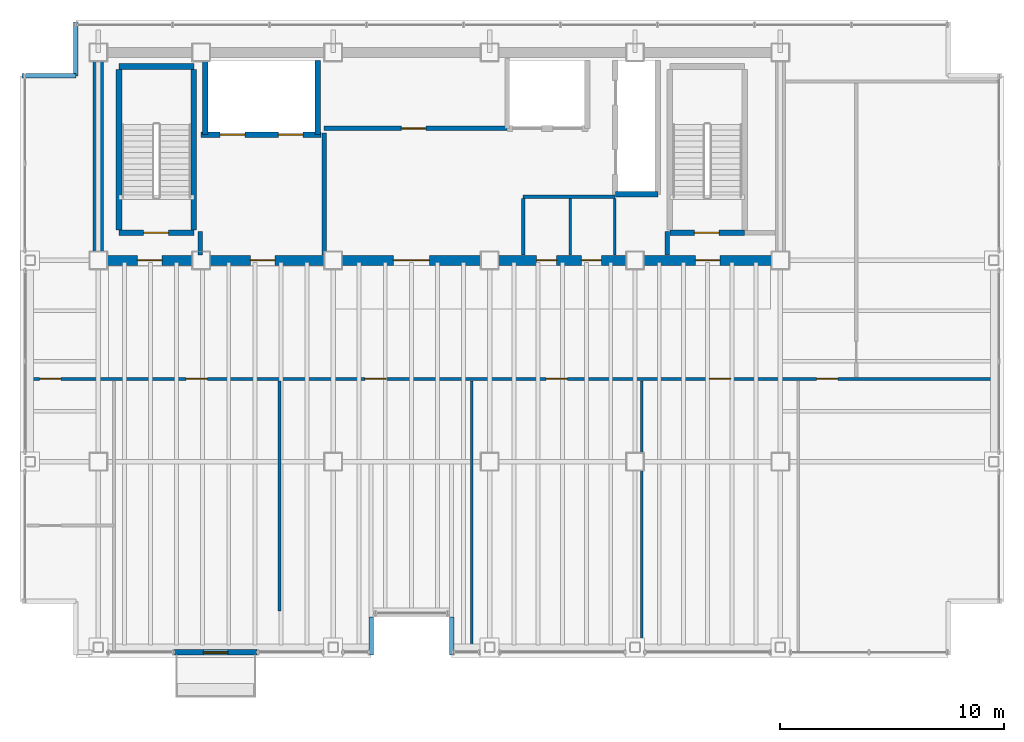
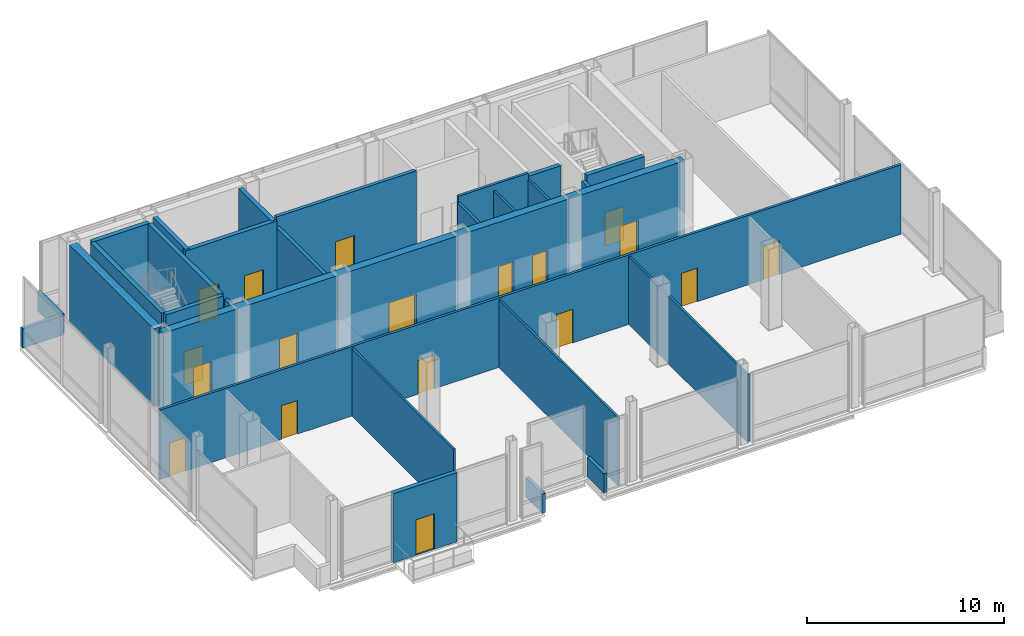
# One storey, part 13 of 15: 28 walls, 18 doors, 18 openings.
"""IFC4 building model written with IfcOpenShell, lengths in metres."""

import ifcopenshell
import ifcopenshell.guid

model = None  # the IFC model being written
_history = None  # IfcOwnerHistory: only IFC2X3 demands one
_inside = {}  # id of a spatial element -> (the spatial element, [elements in it])
_under = {}  # id of a project, library or spatial element -> (it, [spatial elements below it])
_declared = {}  # id of a project -> (the project, [libraries it declares])
_typed = {}  # id of a type object -> (the type object, [elements of that type])
_made_of = {}  # id of a material, layer set ... -> (it, [elements and type objects made of it])


def new_model(schema):
    """Start an empty IFC model of exactly this schema.

    Asked for "IFC4X3", IfcOpenShell would pick the latest addendum, in which some entities
    have other attributes; the version numbers below select the first issue.
    IFC2X3 requires an IfcOwnerHistory on every rooted entity: one is made here for all.
    """
    global model, _history
    if schema == "IFC4X3":
        model = ifcopenshell.file(schema_version=(4, 3, 0, 0))
    else:
        model = ifcopenshell.file(schema=schema)
    _inside.clear()
    _under.clear()
    _declared.clear()
    _typed.clear()
    _made_of.clear()
    _history = None
    if model.schema == "IFC2X3":
        org = make("IfcOrganization", Name="unknown")
        user = make(
            "IfcPersonAndOrganization",
            ThePerson=make("IfcPerson", FamilyName="unknown"),
            TheOrganization=org,
        )
        app = make(
            "IfcApplication",
            ApplicationDeveloper=org,
            Version="unknown",
            ApplicationFullName="unknown",
            ApplicationIdentifier="unknown",
        )
        _history = make(
            "IfcOwnerHistory",
            OwningUser=user,
            OwningApplication=app,
            ChangeAction="ADDED",
            CreationDate=0,
        )
    return model


def make(cls, **values):
    """One entity of the class cls with the attributes given. An attribute that is None is left unset."""
    return model.create_entity(
        cls, **{name: value for name, value in values.items() if value is not None}
    )


def rooted(cls, **values):
    """An entity with a GlobalId (a new one), such as an element, a storey or a relation."""
    return make(cls, GlobalId=ifcopenshell.guid.new(), OwnerHistory=_history, **values)


def si_unit(unit_type, name, prefix=None):
    """IfcSIUnit, for example si_unit("LENGTHUNIT", "METRE", prefix="MILLI")."""
    return make("IfcSIUnit", UnitType=unit_type, Prefix=prefix, Name=name)


def assignment(units):
    """IfcUnitAssignment: the units of a project."""
    return None if units is None else make("IfcUnitAssignment", Units=units)


def point(xyz):
    """IfcCartesianPoint."""
    return None if xyz is None else make("IfcCartesianPoint", Coordinates=xyz)


def direction(xyz):
    """IfcDirection."""
    return None if xyz is None else make("IfcDirection", DirectionRatios=xyz)


def frame(location, z_axis=None, x_axis=None):
    """IfcAxis2Placement3D, a coordinate frame: its origin and axes. An axis left out is left unset."""
    return make(
        "IfcAxis2Placement3D",
        Location=point(location),
        Axis=direction(z_axis),
        RefDirection=direction(x_axis),
    )


def frame_2d(location, x_axis=None):
    """IfcAxis2Placement2D, a coordinate frame in the plane: its origin and x axis."""
    return make(
        "IfcAxis2Placement2D", Location=point(location), RefDirection=direction(x_axis)
    )


def origin():
    """The frame at (0, 0, 0) with its axes left unset."""
    return frame((0.0, 0.0, 0.0))


def place(relative_to, where):
    """IfcLocalPlacement: puts the frame where relative to a parent placement (None: the world)."""
    return make(
        "IfcLocalPlacement", PlacementRelTo=relative_to, RelativePlacement=where
    )


def context(
    kind, dimensions, precision=None, world=None, true_north=None, identifier=None
):
    """IfcGeometricRepresentationContext, for example the 3D "Model" context."""
    return make(
        "IfcGeometricRepresentationContext",
        ContextIdentifier=identifier,
        ContextType=kind,
        CoordinateSpaceDimension=dimensions,
        Precision=precision,
        WorldCoordinateSystem=world,
        TrueNorth=true_north,
    )


def subcontext(parent, identifier, kind, view, scale=None):
    """IfcGeometricRepresentationSubContext, for example "Body" below "Model"."""
    return make(
        "IfcGeometricRepresentationSubContext",
        ContextIdentifier=identifier,
        ContextType=kind,
        ParentContext=parent,
        TargetScale=scale,
        TargetView=view,
    )


def project(units=None, contexts=None):
    """IfcProject with its units and contexts."""
    return rooted(
        "IfcProject",
        Name="project",
        RepresentationContexts=contexts,
        UnitsInContext=assignment(units),
    )


def spatial(cls, under=None, at=None, **own):
    """A site, building, storey or space (cls), placed at a placement, below another one or the project."""
    s = rooted(cls, ObjectPlacement=at, **own)
    if under is not None:
        _under.setdefault(under.id(), (under, []))[1].append(s)
    return s


def profile(cls, at=None, kind="AREA", **sizes):
    """A parametric profile (cls). Its sizes go by their IFC names, for example OverallWidth=200.0."""
    return make(cls, ProfileType=kind, Position=at, **sizes)


def rectangle(**sizes):
    """IfcRectangleProfileDef."""
    return profile("IfcRectangleProfileDef", **sizes)


def extrude(swept, where, along, depth):
    """IfcExtrudedAreaSolid: the profile swept, set in the frame where, extruded along a direction by depth."""
    return make(
        "IfcExtrudedAreaSolid",
        SweptArea=swept,
        Position=where,
        ExtrudedDirection=direction(along),
        Depth=depth,
    )


def shape(context_of_items, identifier, shape_type, items):
    """IfcShapeRepresentation: the items that make up one representation, for example the "Body"."""
    return make(
        "IfcShapeRepresentation",
        ContextOfItems=context_of_items,
        RepresentationIdentifier=identifier,
        RepresentationType=shape_type,
        Items=items,
    )


def material(Name=None, Category=None):
    """IfcMaterial."""
    return make("IfcMaterial", Name=Name, Category=Category)


def layer(
    of_material, thickness, ventilated=None, Name=None, Category=None, Priority=None
):
    """IfcMaterialLayer: one layer of a wall or slab, of a material (None: an air gap)."""
    return make(
        "IfcMaterialLayer",
        Material=of_material,
        LayerThickness=thickness,
        IsVentilated=ventilated,
        Name=Name,
        Category=Category,
        Priority=Priority,
    )


def layer_set(layers, Name=None):
    """IfcMaterialLayerSet."""
    return make("IfcMaterialLayerSet", MaterialLayers=layers, LayerSetName=Name)


def made_of(thing, what):
    """Note that an element or type object is made of a material, layer set ...; save() writes the relation."""
    if what is not None:
        _made_of.setdefault(what.id(), (what, []))[1].append(thing)
    return thing


def type_object(cls, material=None, **own):
    """A type object (cls), such as IfcWallType, which elements share."""
    return made_of(rooted(cls, **own), material)


def element(
    cls,
    number,
    at=None,
    inside=None,
    cuts=None,
    type_object=None,
    material=None,
    context=None,
    identifier="Body",
    shape_type=None,
    held_by="IfcProductDefinitionShape",
    body=None,
    shapes=None,
    **own,
):
    """One element of the class cls, such as IfcWall. Its Tag is "e" and its number.

    at: its placement. inside: the storey or other place that contains it. cuts: it is an
    opening in that element (IfcRelVoidsElement). A single representation is given by context,
    identifier, shape_type and body (its items); several are given by shapes. held_by: the class
    of the entity that holds the representations. save() writes the other relations.
    """
    e = rooted(cls, Tag="e%d" % number, ObjectPlacement=at, **own)
    if body is not None:
        shapes = [shape(context, identifier, shape_type, body)]
    if shapes is not None:
        e.Representation = make(held_by, Representations=shapes)
    if inside is not None:
        _inside.setdefault(inside.id(), (inside, []))[1].append(e)
    if cuts is not None:
        rooted(
            "IfcRelVoidsElement", RelatingBuildingElement=cuts, RelatedOpeningElement=e
        )
    if type_object is not None:
        _typed.setdefault(type_object.id(), (type_object, []))[1].append(e)
    return made_of(e, material)


def fill(opening, filler):
    """IfcRelFillsElement: the door or window that sits in an opening."""
    return rooted(
        "IfcRelFillsElement",
        RelatingOpeningElement=opening,
        RelatedBuildingElement=filler,
    )


def aggregate(whole, parts):
    """IfcRelAggregates: a whole, such as a stair, and the parts it consists of."""
    return rooted("IfcRelAggregates", RelatingObject=whole, RelatedObjects=parts)


def save(model, path):
    """Write the relations noted so far, then the file.

    IfcRelAggregates (storeys below a building ...), IfcRelContainedInSpatialStructure (elements
    in a storey), IfcRelDefinesByType, IfcRelAssociatesMaterial and IfcRelDeclares: one each for
    every whole, place, type object, material and project.
    """
    for whole, parts in _under.values():
        aggregate(whole, parts)
    for where, things in _inside.values():
        rooted(
            "IfcRelContainedInSpatialStructure",
            RelatedElements=things,
            RelatingStructure=where,
        )
    for kind, things in _typed.values():
        rooted("IfcRelDefinesByType", RelatedObjects=things, RelatingType=kind)
    for what, things in _made_of.values():
        rooted("IfcRelAssociatesMaterial", RelatedObjects=things, RelatingMaterial=what)
    for by, libraries in _declared.values():
        rooted("IfcRelDeclares", RelatingContext=by, RelatedDefinitions=libraries)
    model.write(path)


model = new_model("IFC4")

# Units and contexts
model_context = context("Model", 3, precision=1e-05, world=origin(), true_north=direction((0.0, 1.0)))
body_context = subcontext(model_context, "Body", "Model", "MODEL_VIEW")
ifc_project = project(units=[si_unit("LENGTHUNIT", "METRE"), si_unit("AREAUNIT", "SQUARE_METRE"), si_unit("VOLUMEUNIT", "CUBIC_METRE"), si_unit("PLANEANGLEUNIT", "RADIAN"), si_unit("MASSUNIT", "GRAM", prefix="KILO")], contexts=[model_context])

# Site, building, storey
site_placement = place(None, origin())
site = spatial("IfcSite", under=ifc_project, at=site_placement, CompositionType="ELEMENT")
building_placement = place(site_placement, origin())
building = spatial("IfcBuilding", under=site, at=building_placement, Name="Noeulbin Bourse Tower", CompositionType="ELEMENT")
storey_placement = place(building_placement, frame((0.0, 0.0, 206.10009765625)))
storey = spatial("IfcBuildingStorey", under=building, at=storey_placement, Name="L51", CompositionType="ELEMENT", Elevation=206.10009765625)

# Wall, openings, doors
ifc_material_1 = material(Name="Concrete C50/60", Category="concrete")
ifc_layer_1 = layer(ifc_material_1, 0.449951171875)
ifc_layer_set_1 = layer_set([ifc_layer_1], Name="Concrete C50/60")
wall_type_1 = type_object("IfcWallType", Name="WAL-CORE-450", PredefinedType="SHEAR", material=ifc_layer_set_1)
wall_1_placement = place(storey_placement, frame((13.5, 29.0, 0.0), z_axis=(0.0, 0.0, 1.0), x_axis=(1.0, 0.0, 0.0)))
wall_1 = element("IfcWall", 1, at=wall_1_placement, inside=storey, type_object=wall_type_1, Name="Rear Core South Shear Wall L51", PredefinedType="SHEAR", context=body_context, shape_type="SweptSolid", body=[
    extrude(rectangle(XDim=30.5, YDim=0.449951171875, at=frame_2d((15.25, 0.0))), origin(), (0.0, 0.0, 1.0), 4.81982421875),
])
opening_1_placement = place(wall_1_placement, frame((1.75, 0.0, 0.0)))
opening_1 = element("IfcOpeningElement", 2, at=opening_1_placement, cuts=wall_1, Name="Opening FD-11", PredefinedType="OPENING", context=body_context, shape_type="SweptSolid", body=[
    extrude(rectangle(XDim=1.10009765625, YDim=2.080078125, at=frame_2d((0.550048828125, 1.0400390625))), frame((0.0, 0.23486328125, 0.0), z_axis=(0.0, -1.0, 0.0), x_axis=(1.0, 0.0, 0.0)), (0.0, 0.0, 1.0), 0.469970703125),
])
opening_2_placement = place(wall_1_placement, frame((26.699951171875, 0.0, 0.0)))
opening_2 = element("IfcOpeningElement", 3, at=opening_2_placement, cuts=wall_1, Name="Opening FD-11", PredefinedType="OPENING", context=body_context, shape_type="SweptSolid", body=[
    extrude(rectangle(XDim=1.10009765625, YDim=2.080078125, at=frame_2d((0.550048828125, 1.0400390625))), frame((0.0, 0.23486328125, 0.0), z_axis=(0.0, -1.0, 0.0), x_axis=(1.0, 0.0, 0.0)), (0.0, 0.0, 1.0), 0.469970703125),
])
opening_3_placement = place(wall_1_placement, frame((6.800048828125, 0.0, 0.0)))
opening_3 = element("IfcOpeningElement", 4, at=opening_3_placement, cuts=wall_1, Name="Opening FD-11", PredefinedType="OPENING", context=body_context, shape_type="SweptSolid", body=[
    extrude(rectangle(XDim=1.10009765625, YDim=2.080078125, at=frame_2d((0.550048828125, 1.0400390625))), frame((0.0, 0.23486328125, 0.0), z_axis=(0.0, -1.0, 0.0), x_axis=(1.0, 0.0, 0.0)), (0.0, 0.0, 1.0), 0.469970703125),
])
opening_4_placement = place(wall_1_placement, frame((13.199951171875, 0.0, 0.0)))
opening_4 = element("IfcOpeningElement", 5, at=opening_4_placement, cuts=wall_1, Name="Opening ID-16", PredefinedType="OPENING", context=body_context, shape_type="SweptSolid", body=[
    extrude(rectangle(XDim=1.60009765625, YDim=2.080078125, at=frame_2d((0.800048828125, 1.0400390625))), frame((0.0, 0.23486328125, 0.0), z_axis=(0.0, -1.0, 0.0), x_axis=(1.0, 0.0, 0.0)), (0.0, 0.0, 1.0), 0.469970703125),
])
opening_5_placement = place(wall_1_placement, frame((19.60009765625, 0.0, 0.0)))
opening_5 = element("IfcOpeningElement", 6, at=opening_5_placement, cuts=wall_1, Name="Opening FD-09", PredefinedType="OPENING", context=body_context, shape_type="SweptSolid", body=[
    extrude(rectangle(XDim=0.89990234375, YDim=2.080078125, at=frame_2d((0.449951171875, 1.0400390625))), frame((0.0, 0.23486328125, 0.0), z_axis=(0.0, -1.0, 0.0), x_axis=(1.0, 0.0, 0.0)), (0.0, 0.0, 1.0), 0.469970703125),
])
opening_6_placement = place(wall_1_placement, frame((21.60009765625, 0.0, 0.0)))
opening_6 = element("IfcOpeningElement", 7, at=opening_6_placement, cuts=wall_1, Name="Opening FD-09", PredefinedType="OPENING", context=body_context, shape_type="SweptSolid", body=[
    extrude(rectangle(XDim=0.89990234375, YDim=2.080078125, at=frame_2d((0.449951171875, 1.0400390625))), frame((0.0, 0.23486328125, 0.0), z_axis=(0.0, -1.0, 0.0), x_axis=(1.0, 0.0, 0.0)), (0.0, 0.0, 1.0), 0.469970703125),
])
ifc_material_2 = material(Name="Acoustic Glazed Aluminium", Category="aluminium")
door_type_1 = type_object("IfcDoorType", Name="DR-DBL-1600", OperationType="DOUBLE_DOOR_SINGLE_SWING", PredefinedType="DOOR", material=ifc_material_2)
door_1_placement = place(opening_4_placement, origin())
door_1 = element("IfcDoor", 8, at=door_1_placement, inside=storey, type_object=door_type_1, Name="Passenger Lift Lobby Portal L51", OperationType="DOUBLE_DOOR_SINGLE_SWING", OverallHeight=2.080078125, OverallWidth=1.60009765625, PredefinedType="DOOR", context=body_context, shape_type="SweptSolid", body=[
    extrude(rectangle(XDim=1.60009765625, YDim=2.080078125, at=frame_2d((0.800048828125, 1.0400390625))), frame((0.0, 0.02490234375, 0.0), z_axis=(0.0, -1.0, 0.0), x_axis=(1.0, 0.0, 0.0)), (0.0, 0.0, 1.0), 0.050048828125),
])
fill(opening_4, door_1)
ifc_material_3 = material(Name="Fire-Rated Timber Core", Category="wood")
door_type_2 = type_object("IfcDoorType", Name="DR-FD30-900", OperationType="SINGLE_SWING_RIGHT", PredefinedType="DOOR", material=ifc_material_3)
door_2_placement = place(opening_5_placement, origin())
door_2 = element("IfcDoor", 9, at=door_2_placement, inside=storey, type_object=door_type_2, Name="Interior Door L51-06", OperationType="SINGLE_SWING_LEFT", OverallHeight=2.080078125, OverallWidth=0.89990234375, PredefinedType="DOOR", context=body_context, shape_type="SweptSolid", body=[
    extrude(rectangle(XDim=0.89990234375, YDim=2.080078125, at=frame_2d((0.449951171875, 1.0400390625))), frame((0.0, 0.02490234375, 0.0), z_axis=(0.0, -1.0, 0.0), x_axis=(1.0, 0.0, 0.0)), (0.0, 0.0, 1.0), 0.050048828125),
])
fill(opening_5, door_2)
door_3_placement = place(opening_6_placement, origin())
door_3 = element("IfcDoor", 10, at=door_3_placement, inside=storey, type_object=door_type_2, Name="Interior Door L51-07", OperationType="SINGLE_SWING_RIGHT", OverallHeight=2.080078125, OverallWidth=0.89990234375, PredefinedType="DOOR", context=body_context, shape_type="SweptSolid", body=[
    extrude(rectangle(XDim=0.89990234375, YDim=2.080078125, at=frame_2d((0.449951171875, 1.0400390625))), frame((0.0, 0.02490234375, 0.0), z_axis=(0.0, -1.0, 0.0), x_axis=(1.0, 0.0, 0.0)), (0.0, 0.0, 1.0), 0.050048828125),
])
fill(opening_6, door_3)
ifc_material_4 = material(Name="Fire-Rated Insulated Steel", Category="steel")
door_type_3 = type_object("IfcDoorType", Name="DR-FD60-1100", OperationType="SINGLE_SWING_LEFT", PredefinedType="DOOR", material=ifc_material_4)
door_4_placement = place(opening_1_placement, origin())
door_4 = element("IfcDoor", 11, at=door_4_placement, inside=storey, type_object=door_type_3, Name="West Stair Lobby Door L51", OperationType="SINGLE_SWING_RIGHT", OverallHeight=2.080078125, OverallWidth=1.10009765625, PredefinedType="DOOR", context=body_context, shape_type="SweptSolid", body=[
    extrude(rectangle(XDim=1.10009765625, YDim=2.080078125, at=frame_2d((0.550048828125, 1.0400390625))), frame((0.0, 0.02490234375, 0.0), z_axis=(0.0, -1.0, 0.0), x_axis=(1.0, 0.0, 0.0)), (0.0, 0.0, 1.0), 0.050048828125),
])
fill(opening_1, door_4)
door_5_placement = place(opening_2_placement, origin())
door_5 = element("IfcDoor", 12, at=door_5_placement, inside=storey, type_object=door_type_3, Name="East Stair Lobby Door L51", OperationType="SINGLE_SWING_LEFT", OverallHeight=2.080078125, OverallWidth=1.10009765625, PredefinedType="DOOR", context=body_context, shape_type="SweptSolid", body=[
    extrude(rectangle(XDim=1.10009765625, YDim=2.080078125, at=frame_2d((0.550048828125, 1.0400390625))), frame((0.0, 0.02490234375, 0.0), z_axis=(0.0, -1.0, 0.0), x_axis=(1.0, 0.0, 0.0)), (0.0, 0.0, 1.0), 0.050048828125),
])
fill(opening_2, door_5)
door_6_placement = place(opening_3_placement, origin())
door_6 = element("IfcDoor", 13, at=door_6_placement, inside=storey, type_object=door_type_3, Name="Firefighting Lobby Door L51", OperationType="SINGLE_SWING_RIGHT", OverallHeight=2.080078125, OverallWidth=1.10009765625, PredefinedType="DOOR", context=body_context, shape_type="SweptSolid", body=[
    extrude(rectangle(XDim=1.10009765625, YDim=2.080078125, at=frame_2d((0.550048828125, 1.0400390625))), frame((0.0, 0.02490234375, 0.0), z_axis=(0.0, -1.0, 0.0), x_axis=(1.0, 0.0, 0.0)), (0.0, 0.0, 1.0), 0.050048828125),
])
fill(opening_3, door_6)

# Wall
wall_2_placement = place(storey_placement, frame((13.5, 29.35009765625, 0.0), z_axis=(0.0, 0.0, 1.0), x_axis=(0.0, 1.0, 0.0)))
element("IfcWall", 14, at=wall_2_placement, inside=storey, type_object=wall_type_1, Name="Rear Core West Shear Wall L51", PredefinedType="SHEAR", context=body_context, shape_type="SweptSolid", body=[
    extrude(rectangle(XDim=8.599853515625, YDim=0.449951171875, at=frame_2d((4.2998046875, 0.0))), origin(), (0.0, 0.0, 1.0), 4.81982421875),
])

# Wall, opening, door
ifc_material_5 = material(Name="Precast Concrete C40/50", Category="concrete")
ifc_layer_2 = layer(ifc_material_5, 0.25)
ifc_layer_set_2 = layer_set([ifc_layer_2], Name="Precast Concrete C40/50")
wall_type_2 = type_object("IfcWallType", Name="WAL-EXT-250", PredefinedType="STANDARD", material=ifc_layer_set_2)
wall_3_placement = place(storey_placement, frame((16.89990234375, 11.469970703125, 0.0), z_axis=(0.0, 0.0, 1.0), x_axis=(1.0, 0.0, 0.0)))
wall_3 = element("IfcWall", 15, at=wall_3_placement, inside=storey, type_object=wall_type_2, Name="Balcony Threshold Wall L51", PredefinedType="STANDARD", context=body_context, shape_type="SweptSolid", body=[
    extrude(rectangle(XDim=3.7001953125, YDim=0.25, at=frame_2d((1.85009765625, 0.0))), origin(), (0.0, 0.0, 1.0), 4.27978515625),
])
opening_7_placement = place(wall_3_placement, frame((1.300048828125, 0.0, 0.0)))
opening_7 = element("IfcOpeningElement", 16, at=opening_7_placement, cuts=wall_3, Name="Opening BD-11", PredefinedType="OPENING", context=body_context, shape_type="SweptSolid", body=[
    extrude(rectangle(XDim=1.10009765625, YDim=2.199951171875, at=frame_2d((0.550048828125, 1.10009765625))), frame((0.0, 0.135009765625, 0.0), z_axis=(0.0, -1.0, 0.0), x_axis=(1.0, 0.0, 0.0)), (0.0, 0.0, 1.0), 0.27001953125),
])
ifc_material_6 = material(Name="Thermally Broken Aluminium Framed Glass", Category="aluminium")
door_type_4 = type_object("IfcDoorType", Name="DR-BAL-1100", OperationType="SINGLE_SWING_LEFT", PredefinedType="DOOR", material=ifc_material_6)
door_7_placement = place(opening_7_placement, origin())
door_7 = element("IfcDoor", 17, at=door_7_placement, inside=storey, type_object=door_type_4, Name="Tree-Balcony Access Door BD-L51", OperationType="SINGLE_SWING_LEFT", OverallHeight=2.199951171875, OverallWidth=1.10009765625, PredefinedType="DOOR", context=body_context, shape_type="SweptSolid", body=[
    extrude(rectangle(XDim=1.10009765625, YDim=2.199951171875, at=frame_2d((0.550048828125, 1.10009765625))), frame((0.0, 0.02490234375, 0.0), z_axis=(0.0, -1.0, 0.0), x_axis=(1.0, 0.0, 0.0)), (0.0, 0.0, 1.0), 0.050048828125),
])
fill(opening_7, door_7)

ifc_material_7 = material(Name="Concrete C40/50", Category="concrete")
ifc_layer_3 = layer(ifc_material_7, 0.199951171875)
ifc_layer_set_3 = layer_set([ifc_layer_3], Name="Concrete C40/50")
wall_type_3 = type_object("IfcWallType", Name="WAL-FIRE-200", PredefinedType="STANDARD", material=ifc_layer_set_3)
wall_4_placement = place(storey_placement, frame((23.60009765625, 34.89990234375, 0.0), z_axis=(0.0, 0.0, 1.0), x_axis=(1.0, 0.0, 0.0)))
wall_4 = element("IfcWall", 18, at=wall_4_placement, inside=storey, type_object=wall_type_3, Name="Interior Partition Wall L51-02", PredefinedType="STANDARD", context=body_context, shape_type="SweptSolid", body=[
    extrude(rectangle(XDim=8.179931640625, YDim=0.199951171875, at=frame_2d((4.08984375, 0.0))), origin(), (0.0, 0.0, 1.0), 4.81982421875),
])
opening_8_placement = place(wall_4_placement, frame((3.449951171875, 0.0, 0.0)))
opening_8 = element("IfcOpeningElement", 19, at=opening_8_placement, cuts=wall_4, Name="Opening FD-11", PredefinedType="OPENING", context=body_context, shape_type="SweptSolid", body=[
    extrude(rectangle(XDim=1.10009765625, YDim=2.080078125, at=frame_2d((0.550048828125, 1.0400390625))), frame((0.0, 0.10986328125, 0.0), z_axis=(0.0, -1.0, 0.0), x_axis=(1.0, 0.0, 0.0)), (0.0, 0.0, 1.0), 0.219970703125),
])
door_8_placement = place(opening_8_placement, origin())
door_8 = element("IfcDoor", 20, at=door_8_placement, inside=storey, type_object=door_type_3, Name="Telemetry Server Door L51", OperationType="SINGLE_SWING_RIGHT", OverallHeight=2.080078125, OverallWidth=1.10009765625, PredefinedType="DOOR", context=body_context, shape_type="SweptSolid", body=[
    extrude(rectangle(XDim=1.10009765625, YDim=2.080078125, at=frame_2d((0.550048828125, 1.0400390625))), frame((0.0, 0.02490234375, 0.0), z_axis=(0.0, -1.0, 0.0), x_axis=(1.0, 0.0, 0.0)), (0.0, 0.0, 1.0), 0.050048828125),
])
fill(opening_8, door_8)

# Walls
for number, where, z_axis, x_axis, name in (
    (21, (18.050048828125, 29.235107421875, 0.0), (0.0, 0.0, 1.0), (0.0, 1.0, 0.0), "Interior Partition Wall L51-07"),
    (22, (38.949951171875, 29.235107421875, 0.0), (0.0, 0.0, 1.0), (0.0, 1.0, 0.0), "Interior Partition Wall L51-08"),
):
    element("IfcWall", number, at=place(storey_placement, frame(where, z_axis=z_axis, x_axis=x_axis)), inside=storey, type_object=wall_type_3, Name=name, PredefinedType="STANDARD", context=body_context, shape_type="SweptSolid", body=[
        extrude(rectangle(XDim=1.06494140625, YDim=0.199951171875, at=frame_2d((0.532470703125, 0.0))), origin(), (0.0, 0.0, 1.0), 4.449951171875),
    ])
wall_5_placement = place(storey_placement, frame((23.60009765625, 29.235107421875, 0.0), z_axis=(0.0, 0.0, 1.0), x_axis=(0.0, 1.0, 0.0)))
element("IfcWall", 23, at=wall_5_placement, inside=storey, type_object=wall_type_3, Name="Interior Partition Wall L51-09", PredefinedType="STANDARD", context=body_context, shape_type="SweptSolid", body=[
    extrude(rectangle(XDim=5.46484375, YDim=0.199951171875, at=frame_2d((2.732421875, 0.0))), origin(), (0.0, 0.0, 1.0), 4.2998046875),
])
ifc_layer_4 = layer(ifc_material_7, 0.199951171875)
ifc_layer_set_4 = layer_set([ifc_layer_4], Name="Concrete C40/50")
wall_type_4 = type_object("IfcWallType", Name="WAL-PAR-200", PredefinedType="PARAPET", material=ifc_layer_set_4)
for number, where, z_axis, x_axis, name in (
    (24, (10.10009765625, 37.25, 0.0), (0.0, 0.0, 1.0), (1.0, 0.0, 0.0), "Corner Notch Parapet L51-NW1"),
    (25, (12.5, 37.25, 0.0), (0.0, 0.0, 1.0), (0.0, 1.0, 0.0), "Corner Notch Parapet L51-NW2"),
):
    element("IfcWall", number, at=place(storey_placement, frame(where, z_axis=z_axis, x_axis=x_axis)), inside=storey, type_object=wall_type_4, Name=name, PredefinedType="PARAPET", context=body_context, shape_type="SweptSolid", body=[
        extrude(rectangle(XDim=2.39990234375, YDim=0.199951171875, at=frame_2d((1.199951171875, 0.0))), origin(), (0.0, 0.0, 1.0), 1.199951171875),
    ])
for number, where, z_axis, x_axis, name in (
    (26, (25.699951171875, 11.35009765625, 0.0), (0.0, 0.0, 1.0), (0.0, 1.0, 0.0), "Sky-Garden Recess Parapet L51-W"),
    (27, (29.300048828125, 13.050048828125, 0.0), (0.0, 0.0, 1.0), (0.0, -1.0, 0.0), "Sky-Garden Recess Parapet L51-E"),
):
    element("IfcWall", number, at=place(storey_placement, frame(where, z_axis=z_axis, x_axis=x_axis)), inside=storey, type_object=wall_type_4, Name=name, PredefinedType="PARAPET", context=body_context, shape_type="SweptSolid", body=[
        extrude(rectangle(XDim=1.699951171875, YDim=0.199951171875, at=frame_2d((0.85009765625, 0.0))), origin(), (0.0, 0.0, 1.0), 1.199951171875),
    ])
ifc_material_8 = material(Name="Steel Stud Gypsum Partition", Category="steel")
ifc_layer_5 = layer(ifc_material_8, 0.1201171875)
ifc_layer_set_5 = layer_set([ifc_layer_5], Name="Steel Stud Gypsum Partition")
wall_type_5 = type_object("IfcWallType", Name="WAL-PRT-120", PredefinedType="PARTITIONING", material=ifc_layer_set_5)
for number, where, z_axis, x_axis, name in (
    (28, (36.60009765625, 29.235107421875, 0.0), (0.0, 0.0, 1.0), (0.0, 1.0, 0.0), "Interior Partition Wall L51-11"),
    (29, (34.60009765625, 29.235107421875, 0.0), (0.0, 0.0, 1.0), (0.0, 1.0, 0.0), "Interior Partition Wall L51-12"),
):
    element("IfcWall", number, at=place(storey_placement, frame(where, z_axis=z_axis, x_axis=x_axis)), inside=storey, type_object=wall_type_5, Name=name, PredefinedType="PARTITIONING", context=body_context, shape_type="SweptSolid", body=[
        extrude(rectangle(XDim=2.52978515625, YDim=0.1201171875, at=frame_2d((1.264892578125, 0.0))), origin(), (0.0, 0.0, 1.0), 4.449951171875),
    ])
wall_6_placement = place(storey_placement, frame((21.60009765625, 13.320068359375, 0.0), z_axis=(0.0, 0.0, 1.0), x_axis=(0.0, 1.0, 0.0)))
element("IfcWall", 30, at=wall_6_placement, inside=storey, type_object=wall_type_5, Name="Interior Partition Wall L51-15", PredefinedType="PARTITIONING", context=body_context, shape_type="SweptSolid", body=[
    extrude(rectangle(XDim=10.294921875, YDim=0.1201171875, at=frame_2d((5.1474609375, 0.0))), origin(), (0.0, 0.0, 1.0), 4.199951171875),
])
for number, where, z_axis, x_axis, name in (
    (31, (30.199951171875, 11.56005859375, 0.0), (0.0, 0.0, 1.0), (0.0, 1.0, 0.0), "Interior Partition Wall L51-16"),
    (32, (37.800048828125, 11.56005859375, 0.0), (0.0, 0.0, 1.0), (0.0, 1.0, 0.0), "Interior Partition Wall L51-17"),
):
    element("IfcWall", number, at=place(storey_placement, frame(where, z_axis=z_axis, x_axis=x_axis)), inside=storey, type_object=wall_type_5, Name=name, PredefinedType="PARTITIONING", context=body_context, shape_type="SweptSolid", body=[
        extrude(rectangle(XDim=12.054931640625, YDim=0.1201171875, at=frame_2d((6.02734375, 0.0))), origin(), (0.0, 0.0, 1.0), 4.199951171875),
    ])
ifc_material_9 = material(Name="Steel Stud Acoustic Gypsum Board", Category="steel")
ifc_layer_6 = layer(ifc_material_9, 0.14990234375)
ifc_layer_set_6 = layer_set([ifc_layer_6], Name="Steel Stud Acoustic Gypsum Board")
wall_type_6 = type_object("IfcWallType", Name="WAL-PRT-150", PredefinedType="PARTITIONING", material=ifc_layer_set_6)
wall_7_placement = place(storey_placement, frame((32.5, 31.85009765625, 0.0), z_axis=(0.0, 0.0, 1.0), x_axis=(1.0, 0.0, 0.0)))
element("IfcWall", 33, at=wall_7_placement, inside=storey, type_object=wall_type_6, Name="Interior Partition Wall L51-03", PredefinedType="PARTITIONING", context=body_context, shape_type="SweptSolid", body=[
    extrude(rectangle(XDim=4.10009765625, YDim=0.14990234375, at=frame_2d((2.050048828125, 0.0))), origin(), (0.0, 0.0, 1.0), 4.81982421875),
])

# Wall, openings, doors
wall_8_placement = place(storey_placement, frame((10.31005859375, 23.699951171875, 0.0), z_axis=(0.0, 0.0, 1.0), x_axis=(1.0, 0.0, 0.0)))
wall_8 = element("IfcWall", 34, at=wall_8_placement, inside=storey, type_object=wall_type_6, Name="Interior Partition Wall L51-04", PredefinedType="PARTITIONING", context=body_context, shape_type="SweptSolid", body=[
    extrude(rectangle(XDim=43.3798828125, YDim=0.14990234375, at=frame_2d((21.68994140625, 0.0))), origin(), (0.0, 0.0, 1.0), 4.2998046875),
])
opening_9_placement = place(wall_8_placement, frame((0.570068359375, 0.0, 0.0)))
opening_9 = element("IfcOpeningElement", 35, at=opening_9_placement, cuts=wall_8, Name="Opening ID-09", PredefinedType="OPENING", context=body_context, shape_type="SweptSolid", body=[
    extrude(rectangle(XDim=0.949951171875, YDim=2.080078125, at=frame_2d((0.47509765625, 1.0400390625))), frame((0.0, 0.0849609375, 0.0), z_axis=(0.0, -1.0, 0.0), x_axis=(1.0, 0.0, 0.0)), (0.0, 0.0, 1.0), 0.169921875),
])
opening_10_placement = place(wall_8_placement, frame((7.114990234375, 0.0, 0.0)))
opening_10 = element("IfcOpeningElement", 36, at=opening_10_placement, cuts=wall_8, Name="Opening ID-09", PredefinedType="OPENING", context=body_context, shape_type="SweptSolid", body=[
    extrude(rectangle(XDim=0.949951171875, YDim=2.080078125, at=frame_2d((0.47509765625, 1.0400390625))), frame((0.0, 0.0849609375, 0.0), z_axis=(0.0, -1.0, 0.0), x_axis=(1.0, 0.0, 0.0)), (0.0, 0.0, 1.0), 0.169921875),
])
opening_11_placement = place(wall_8_placement, frame((15.114990234375, 0.0, 0.0)))
opening_11 = element("IfcOpeningElement", 37, at=opening_11_placement, cuts=wall_8, Name="Opening ID-09", PredefinedType="OPENING", context=body_context, shape_type="SweptSolid", body=[
    extrude(rectangle(XDim=0.949951171875, YDim=2.080078125, at=frame_2d((0.47509765625, 1.0400390625))), frame((0.0, 0.0849609375, 0.0), z_axis=(0.0, -1.0, 0.0), x_axis=(1.0, 0.0, 0.0)), (0.0, 0.0, 1.0), 0.169921875),
])
opening_12_placement = place(wall_8_placement, frame((23.215087890625, 0.0, 0.0)))
opening_12 = element("IfcOpeningElement", 38, at=opening_12_placement, cuts=wall_8, Name="Opening ID-09", PredefinedType="OPENING", context=body_context, shape_type="SweptSolid", body=[
    extrude(rectangle(XDim=0.949951171875, YDim=2.080078125, at=frame_2d((0.47509765625, 1.0400390625))), frame((0.0, 0.0849609375, 0.0), z_axis=(0.0, -1.0, 0.0), x_axis=(1.0, 0.0, 0.0)), (0.0, 0.0, 1.0), 0.169921875),
])
opening_13_placement = place(wall_8_placement, frame((30.514892578125, 0.0, 0.0)))
opening_13 = element("IfcOpeningElement", 39, at=opening_13_placement, cuts=wall_8, Name="Opening ID-09", PredefinedType="OPENING", context=body_context, shape_type="SweptSolid", body=[
    extrude(rectangle(XDim=0.949951171875, YDim=2.080078125, at=frame_2d((0.47509765625, 1.0400390625))), frame((0.0, 0.0849609375, 0.0), z_axis=(0.0, -1.0, 0.0), x_axis=(1.0, 0.0, 0.0)), (0.0, 0.0, 1.0), 0.169921875),
])
opening_14_placement = place(wall_8_placement, frame((35.31494140625, 0.0, 0.0)))
opening_14 = element("IfcOpeningElement", 40, at=opening_14_placement, cuts=wall_8, Name="Opening ID-09", PredefinedType="OPENING", context=body_context, shape_type="SweptSolid", body=[
    extrude(rectangle(XDim=0.949951171875, YDim=2.080078125, at=frame_2d((0.47509765625, 1.0400390625))), frame((0.0, 0.0849609375, 0.0), z_axis=(0.0, -1.0, 0.0), x_axis=(1.0, 0.0, 0.0)), (0.0, 0.0, 1.0), 0.169921875),
])
ifc_material_10 = material(Name="Acoustic Solid-Core Timber", Category="wood")
door_type_5 = type_object("IfcDoorType", Name="DR-SINGLE-950", OperationType="SINGLE_SWING_LEFT", PredefinedType="DOOR", material=ifc_material_10)
door_9_placement = place(opening_9_placement, origin())
door_9 = element("IfcDoor", 41, at=door_9_placement, inside=storey, type_object=door_type_5, Name="Interior Door L51-09", OperationType="SINGLE_SWING_RIGHT", OverallHeight=2.080078125, OverallWidth=0.949951171875, PredefinedType="DOOR", context=body_context, shape_type="SweptSolid", body=[
    extrude(rectangle(XDim=0.949951171875, YDim=2.080078125, at=frame_2d((0.47509765625, 1.0400390625))), frame((0.0, 0.02490234375, 0.0), z_axis=(0.0, -1.0, 0.0), x_axis=(1.0, 0.0, 0.0)), (0.0, 0.0, 1.0), 0.050048828125),
])
fill(opening_9, door_9)
door_10_placement = place(opening_10_placement, origin())
door_10 = element("IfcDoor", 42, at=door_10_placement, inside=storey, type_object=door_type_5, Name="Interior Door L51-10", OperationType="SINGLE_SWING_LEFT", OverallHeight=2.080078125, OverallWidth=0.949951171875, PredefinedType="DOOR", context=body_context, shape_type="SweptSolid", body=[
    extrude(rectangle(XDim=0.949951171875, YDim=2.080078125, at=frame_2d((0.47509765625, 1.0400390625))), frame((0.0, 0.02490234375, 0.0), z_axis=(0.0, -1.0, 0.0), x_axis=(1.0, 0.0, 0.0)), (0.0, 0.0, 1.0), 0.050048828125),
])
fill(opening_10, door_10)
door_11_placement = place(opening_11_placement, origin())
door_11 = element("IfcDoor", 43, at=door_11_placement, inside=storey, type_object=door_type_5, Name="Interior Door L51-11", OperationType="SINGLE_SWING_RIGHT", OverallHeight=2.080078125, OverallWidth=0.949951171875, PredefinedType="DOOR", context=body_context, shape_type="SweptSolid", body=[
    extrude(rectangle(XDim=0.949951171875, YDim=2.080078125, at=frame_2d((0.47509765625, 1.0400390625))), frame((0.0, 0.02490234375, 0.0), z_axis=(0.0, -1.0, 0.0), x_axis=(1.0, 0.0, 0.0)), (0.0, 0.0, 1.0), 0.050048828125),
])
fill(opening_11, door_11)
door_12_placement = place(opening_12_placement, origin())
door_12 = element("IfcDoor", 44, at=door_12_placement, inside=storey, type_object=door_type_5, Name="Interior Door L51-12", OperationType="SINGLE_SWING_LEFT", OverallHeight=2.080078125, OverallWidth=0.949951171875, PredefinedType="DOOR", context=body_context, shape_type="SweptSolid", body=[
    extrude(rectangle(XDim=0.949951171875, YDim=2.080078125, at=frame_2d((0.47509765625, 1.0400390625))), frame((0.0, 0.02490234375, 0.0), z_axis=(0.0, -1.0, 0.0), x_axis=(1.0, 0.0, 0.0)), (0.0, 0.0, 1.0), 0.050048828125),
])
fill(opening_12, door_12)
door_13_placement = place(opening_13_placement, origin())
door_13 = element("IfcDoor", 45, at=door_13_placement, inside=storey, type_object=door_type_5, Name="Interior Door L51-13", OperationType="SINGLE_SWING_RIGHT", OverallHeight=2.080078125, OverallWidth=0.949951171875, PredefinedType="DOOR", context=body_context, shape_type="SweptSolid", body=[
    extrude(rectangle(XDim=0.949951171875, YDim=2.080078125, at=frame_2d((0.47509765625, 1.0400390625))), frame((0.0, 0.02490234375, 0.0), z_axis=(0.0, -1.0, 0.0), x_axis=(1.0, 0.0, 0.0)), (0.0, 0.0, 1.0), 0.050048828125),
])
fill(opening_13, door_13)
door_14_placement = place(opening_14_placement, origin())
door_14 = element("IfcDoor", 46, at=door_14_placement, inside=storey, type_object=door_type_5, Name="Interior Door L51-14", OperationType="SINGLE_SWING_LEFT", OverallHeight=2.080078125, OverallWidth=0.949951171875, PredefinedType="DOOR", context=body_context, shape_type="SweptSolid", body=[
    extrude(rectangle(XDim=0.949951171875, YDim=2.080078125, at=frame_2d((0.47509765625, 1.0400390625))), frame((0.0, 0.02490234375, 0.0), z_axis=(0.0, -1.0, 0.0), x_axis=(1.0, 0.0, 0.0)), (0.0, 0.0, 1.0), 0.050048828125),
])
fill(opening_14, door_14)

# Wall
wall_9_placement = place(storey_placement, frame((32.5, 29.235107421875, 0.0), z_axis=(0.0, 0.0, 1.0), x_axis=(0.0, 1.0, 0.0)))
element("IfcWall", 47, at=wall_9_placement, inside=storey, type_object=wall_type_6, Name="Interior Partition Wall L51-10", PredefinedType="PARTITIONING", context=body_context, shape_type="SweptSolid", body=[
    extrude(rectangle(XDim=2.52978515625, YDim=0.14990234375, at=frame_2d((1.264892578125, 0.0))), origin(), (0.0, 0.0, 1.0), 4.449951171875),
])

# Wall, opening, door
ifc_layer_7 = layer(ifc_material_7, 0.25)
ifc_layer_set_7 = layer_set([ifc_layer_7], Name="Concrete C40/50")
wall_type_7 = type_object("IfcWallType", Name="WAL-SHFT-250", PredefinedType="STANDARD", material=ifc_layer_set_7)
wall_10_placement = place(storey_placement, frame((14.429931640625, 30.235107421875, 0.0), z_axis=(0.0, 0.0, 1.0), x_axis=(1.0, 0.0, 0.0)))
wall_10 = element("IfcWall", 48, at=wall_10_placement, inside=storey, type_object=wall_type_7, Name="Stair ST-1 South Shaft Wall L51", PredefinedType="STANDARD", context=body_context, shape_type="SweptSolid", body=[
    extrude(rectangle(XDim=3.340087890625, YDim=0.25, at=frame_2d((1.669921875, 0.0))), origin(), (0.0, 0.0, 1.0), 4.81982421875),
])
opening_15_placement = place(wall_10_placement, frame((1.10009765625, 0.0, 0.0)))
opening_15 = element("IfcOpeningElement", 49, at=opening_15_placement, cuts=wall_10, Name="Opening FD-11", PredefinedType="OPENING", context=body_context, shape_type="SweptSolid", body=[
    extrude(rectangle(XDim=1.10009765625, YDim=2.080078125, at=frame_2d((0.550048828125, 1.0400390625))), frame((0.0, 0.135009765625, 0.0), z_axis=(0.0, -1.0, 0.0), x_axis=(1.0, 0.0, 0.0)), (0.0, 0.0, 1.0), 0.27001953125),
])
door_15_placement = place(opening_15_placement, origin())
door_15 = element("IfcDoor", 50, at=door_15_placement, inside=storey, type_object=door_type_3, Name="Protected Stair Entry Door ST1-L51", OperationType="SINGLE_SWING_RIGHT", OverallHeight=2.080078125, OverallWidth=1.10009765625, PredefinedType="DOOR", context=body_context, shape_type="SweptSolid", body=[
    extrude(rectangle(XDim=1.10009765625, YDim=2.080078125, at=frame_2d((0.550048828125, 1.0400390625))), frame((0.0, 0.02490234375, 0.0), z_axis=(0.0, -1.0, 0.0), x_axis=(1.0, 0.0, 0.0)), (0.0, 0.0, 1.0), 0.050048828125),
])
fill(opening_15, door_15)

# Walls
wall_11_placement = place(storey_placement, frame((14.429931640625, 37.6689453125, 0.0), z_axis=(0.0, 0.0, 1.0), x_axis=(1.0, 0.0, 0.0)))
element("IfcWall", 51, at=wall_11_placement, inside=storey, type_object=wall_type_7, Name="Stair ST-1 North Shaft Wall L51", PredefinedType="STANDARD", context=body_context, shape_type="SweptSolid", body=[
    extrude(rectangle(XDim=3.340087890625, YDim=0.25, at=frame_2d((1.669921875, 0.0))), origin(), (0.0, 0.0, 1.0), 4.81982421875),
])
for number, where, z_axis, x_axis, name in (
    (52, (14.425048828125, 30.360107421875, 0.0), (0.0, 0.0, 1.0), (0.0, 1.0, 0.0), "Stair ST-1 West Shaft Wall L51"),
    (53, (17.77490234375, 30.360107421875, 0.0), (0.0, 0.0, 1.0), (0.0, 1.0, 0.0), "Stair ST-1 East Shaft Wall L51"),
):
    element("IfcWall", number, at=place(storey_placement, frame(where, z_axis=z_axis, x_axis=x_axis)), inside=storey, type_object=wall_type_7, Name=name, PredefinedType="STANDARD", context=body_context, shape_type="SweptSolid", body=[
        extrude(rectangle(XDim=7.183837890625, YDim=0.25, at=frame_2d((3.591796875, 0.0))), origin(), (0.0, 0.0, 1.0), 4.81982421875),
    ])

# Wall, opening, door
wall_12_placement = place(storey_placement, frame((39.06005859375, 30.235107421875, 0.0), z_axis=(0.0, 0.0, 1.0), x_axis=(1.0, 0.0, 0.0)))
wall_12 = element("IfcWall", 54, at=wall_12_placement, inside=storey, type_object=wall_type_7, Name="Stair ST-2 South Shaft Wall L51", PredefinedType="STANDARD", context=body_context, shape_type="SweptSolid", body=[
    extrude(rectangle(XDim=3.33984375, YDim=0.25, at=frame_2d((1.669921875, 0.0))), origin(), (0.0, 0.0, 1.0), 4.81982421875),
])
opening_16_placement = place(wall_12_placement, frame((1.10009765625, 0.0, 0.0)))
opening_16 = element("IfcOpeningElement", 55, at=opening_16_placement, cuts=wall_12, Name="Opening FD-11", PredefinedType="OPENING", context=body_context, shape_type="SweptSolid", body=[
    extrude(rectangle(XDim=1.10009765625, YDim=2.080078125, at=frame_2d((0.550048828125, 1.0400390625))), frame((0.0, 0.135009765625, 0.0), z_axis=(0.0, -1.0, 0.0), x_axis=(1.0, 0.0, 0.0)), (0.0, 0.0, 1.0), 0.27001953125),
])
door_16_placement = place(opening_16_placement, origin())
door_16 = element("IfcDoor", 56, at=door_16_placement, inside=storey, type_object=door_type_3, Name="Protected Stair Entry Door ST2-L51", OperationType="SINGLE_SWING_LEFT", OverallHeight=2.080078125, OverallWidth=1.10009765625, PredefinedType="DOOR", context=body_context, shape_type="SweptSolid", body=[
    extrude(rectangle(XDim=1.10009765625, YDim=2.080078125, at=frame_2d((0.550048828125, 1.0400390625))), frame((0.0, 0.02490234375, 0.0), z_axis=(0.0, -1.0, 0.0), x_axis=(1.0, 0.0, 0.0)), (0.0, 0.0, 1.0), 0.050048828125),
])
fill(opening_16, door_16)

# Wall, openings, doors
wall_13_placement = place(storey_placement, frame((18.10009765625, 34.6201171875, 0.0), z_axis=(0.0, 0.0, 1.0), x_axis=(1.0, 0.0, 0.0)))
wall_13 = element("IfcWall", 57, at=wall_13_placement, inside=storey, type_object=wall_type_7, Name="Firefighting Lift Shaft Front L51", PredefinedType="STANDARD", context=body_context, shape_type="SweptSolid", body=[
    extrude(rectangle(XDim=5.349853515625, YDim=0.25, at=frame_2d((2.6748046875, 0.0))), origin(), (0.0, 0.0, 1.0), 4.81982421875),
])
opening_17_placement = place(wall_13_placement, frame((0.85009765625, 0.0, 0.0)))
opening_17 = element("IfcOpeningElement", 58, at=opening_17_placement, cuts=wall_13, Name="Opening LD-11", PredefinedType="OPENING", context=body_context, shape_type="SweptSolid", body=[
    extrude(rectangle(XDim=1.10009765625, YDim=2.080078125, at=frame_2d((0.550048828125, 1.0400390625))), frame((0.0, 0.135009765625, 0.0), z_axis=(0.0, -1.0, 0.0), x_axis=(1.0, 0.0, 0.0)), (0.0, 0.0, 1.0), 0.27001953125),
])
opening_18_placement = place(wall_13_placement, frame((3.449951171875, 0.0, 0.0)))
opening_18 = element("IfcOpeningElement", 59, at=opening_18_placement, cuts=wall_13, Name="Opening LD-11", PredefinedType="OPENING", context=body_context, shape_type="SweptSolid", body=[
    extrude(rectangle(XDim=1.10009765625, YDim=2.080078125, at=frame_2d((0.550048828125, 1.0400390625))), frame((0.0, 0.135009765625, 0.0), z_axis=(0.0, -1.0, 0.0), x_axis=(1.0, 0.0, 0.0)), (0.0, 0.0, 1.0), 0.27001953125),
])
ifc_material_11 = material(Name="Brushed Stainless Steel 316", Category="steel")
door_type_6 = type_object("IfcDoorType", Name="DR-LIFT-1100", OperationType="SLIDING_TO_LEFT", PredefinedType="DOOR", material=ifc_material_11)
door_17_placement = place(opening_17_placement, origin())
door_17 = element("IfcDoor", 60, at=door_17_placement, inside=storey, type_object=door_type_6, Name="Lift Landing Door LD-FL-01-L51", OperationType="SLIDING_TO_LEFT", OverallHeight=2.080078125, OverallWidth=1.10009765625, PredefinedType="DOOR", context=body_context, shape_type="SweptSolid", body=[
    extrude(rectangle(XDim=1.10009765625, YDim=2.080078125, at=frame_2d((0.550048828125, 1.0400390625))), frame((0.0, 0.02490234375, 0.0), z_axis=(0.0, -1.0, 0.0), x_axis=(1.0, 0.0, 0.0)), (0.0, 0.0, 1.0), 0.050048828125),
])
fill(opening_17, door_17)
door_18_placement = place(opening_18_placement, origin())
door_18 = element("IfcDoor", 61, at=door_18_placement, inside=storey, type_object=door_type_6, Name="Lift Landing Door LD-FL-02-L51", OperationType="SLIDING_TO_LEFT", OverallHeight=2.080078125, OverallWidth=1.10009765625, PredefinedType="DOOR", context=body_context, shape_type="SweptSolid", body=[
    extrude(rectangle(XDim=1.10009765625, YDim=2.080078125, at=frame_2d((0.550048828125, 1.0400390625))), frame((0.0, 0.02490234375, 0.0), z_axis=(0.0, -1.0, 0.0), x_axis=(1.0, 0.0, 0.0)), (0.0, 0.0, 1.0), 0.050048828125),
])
fill(opening_18, door_18)

# Walls
wall_14_placement = place(storey_placement, frame((36.6201171875, 31.949951171875, 0.0), z_axis=(0.0, 0.0, 1.0), x_axis=(1.0, 0.0, 0.0)))
element("IfcWall", 62, at=wall_14_placement, inside=storey, type_object=wall_type_7, Name="Service Lift South Shaft Wall L51", PredefinedType="STANDARD", context=body_context, shape_type="SweptSolid", body=[
    extrude(rectangle(XDim=1.89990234375, YDim=0.25, at=frame_2d((0.949951171875, 0.0))), origin(), (0.0, 0.0, 1.0), 4.579833984375),
])
for number, where, z_axis, x_axis, name in (
    (63, (18.280029296875, 34.6201171875, 0.0), (0.0, 0.0, 1.0), (0.0, 1.0, 0.0), "Firefighting Lift West Shaft Wall L51"),
    (64, (23.320068359375, 34.6201171875, 0.0), (0.0, 0.0, 1.0), (0.0, 1.0, 0.0), "Firefighting Lift East Shaft Wall L51"),
):
    element("IfcWall", number, at=place(storey_placement, frame(where, z_axis=z_axis, x_axis=x_axis)), inside=storey, type_object=wall_type_7, Name=name, PredefinedType="STANDARD", context=body_context, shape_type="SweptSolid", body=[
        extrude(rectangle(XDim=3.329833984375, YDim=0.25, at=frame_2d((1.6650390625, 0.0))), origin(), (0.0, 0.0, 1.0), 4.81982421875),
    ])

save(model, "model.ifc")
